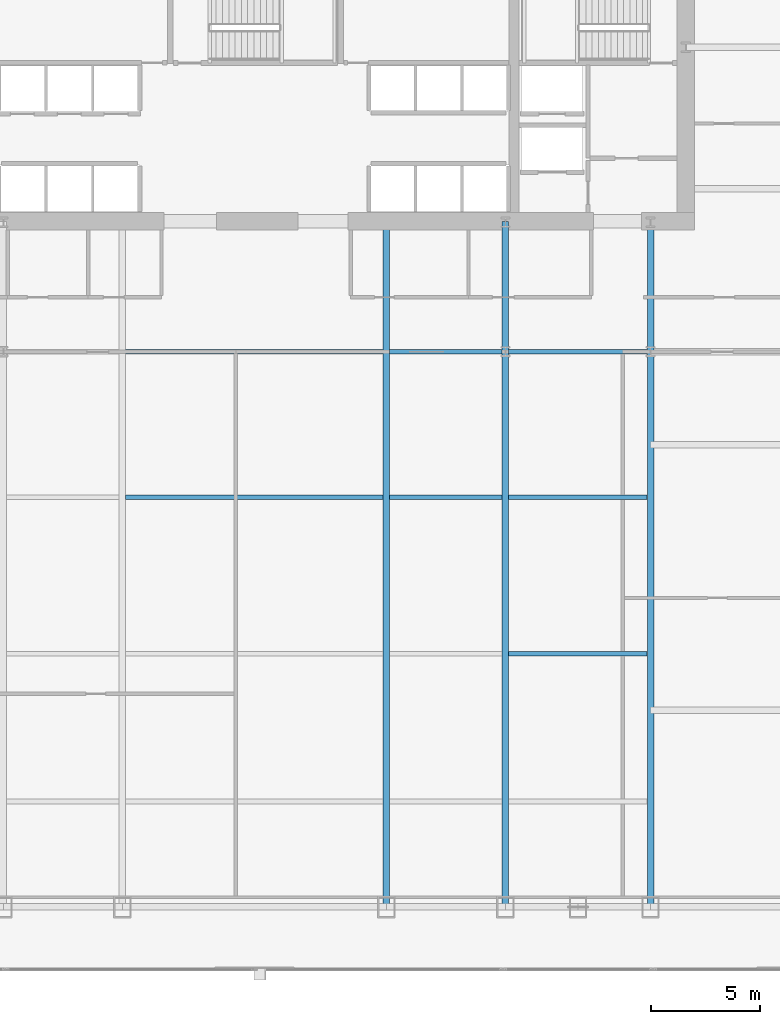
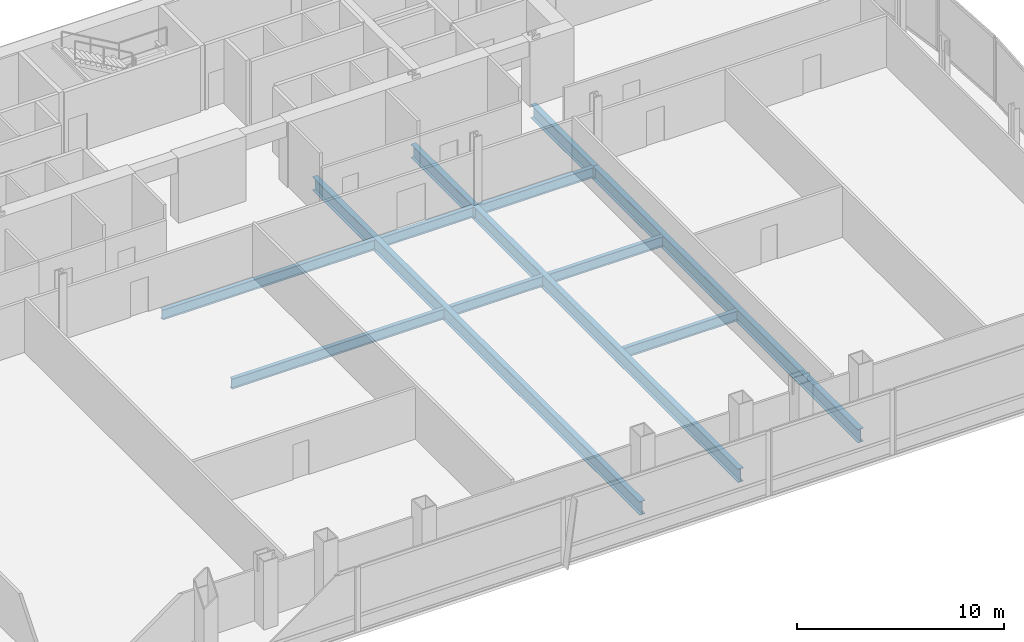
# One storey, part 15 of 37: 12 beams.
"""IFC4 building model written with IfcOpenShell, lengths in metres."""

from ifc_helpers import new_model, si_unit, direction, frame, origin, origin_2d, place, context, subcontext, project, spatial, i_section, extrude, material, material_profile, profile_set, type_object, element, save


model = new_model("IFC4")

# Units and contexts
model_context = context("Model", 3, precision=1e-05, world=origin(), true_north=direction((0.0, 1.0)))
body_context = subcontext(model_context, "Body", "Model", "MODEL_VIEW")
ifc_project = project(units=[si_unit("LENGTHUNIT", "METRE"), si_unit("AREAUNIT", "SQUARE_METRE"), si_unit("VOLUMEUNIT", "CUBIC_METRE"), si_unit("PLANEANGLEUNIT", "RADIAN"), si_unit("MASSUNIT", "GRAM", prefix="KILO")], contexts=[model_context])

# Site, building, storey
site_placement = place(None, origin())
site = spatial("IfcSite", under=ifc_project, at=site_placement, CompositionType="ELEMENT")
building_placement = place(site_placement, origin())
building = spatial("IfcBuilding", under=site, at=building_placement, Name="Khoronbel Lancet Exchange", CompositionType="ELEMENT")
storey_placement = place(building_placement, frame((0.0, 0.0, 45.800048828125)))
storey = spatial("IfcBuildingStorey", under=building, at=storey_placement, Name="L10", CompositionType="ELEMENT", Elevation=45.800048828125)

# Beams
ifc_material = material(Name="Steel S355", Category="steel")
ifc_material_profile_1 = material_profile(ifc_material, i_section(OverallWidth=0.300048828125, OverallDepth=0.800048828125, WebThickness=0.017578125, FlangeThickness=0.032958984375, at=origin_2d()), Name="HEB 800")
ifc_profile_set_1 = profile_set([ifc_material_profile_1], Name="Steel S355")
beam_type_1 = type_object("IfcBeamType", Name="BM-BG2", PredefinedType="BEAM", material=ifc_profile_set_1)
beam_1_placement = place(storey_placement, frame((42.52490234375, 10.14990234375, -0.580078125), z_axis=(0.0, 1.0, 0.0), x_axis=(-1.0, 0.0, 0.0)))
element("IfcBeam", 1, at=beam_1_placement, inside=storey, type_object=beam_type_1, Name="Level L10 primary floor girder G4", PredefinedType="BEAM", context=body_context, shape_type="SweptSolid", body=[
    extrude(i_section(OverallWidth=0.300048828125, OverallDepth=0.800048828125, WebThickness=0.017578125, FlangeThickness=0.032958984375, at=origin_2d()), origin(), (0.0, 0.0, 1.0), 31.550048828125),
])
beam_2_placement = place(storey_placement, frame((48.0, 10.14990234375, -0.580078125), z_axis=(0.0, 1.0, 0.0), x_axis=(-1.0, 0.0, 0.0)))
element("IfcBeam", 2, at=beam_2_placement, inside=storey, type_object=beam_type_1, Name="Level L10 south primary girder GS5", PredefinedType="BEAM", context=body_context, shape_type="SweptSolid", body=[
    extrude(i_section(OverallWidth=0.300048828125, OverallDepth=0.800048828125, WebThickness=0.017578125, FlangeThickness=0.032958984375, at=origin_2d()), origin(), (0.0, 0.0, 1.0), 25.550048828125),
])
beam_3_placement = place(storey_placement, frame((48.0, 35.699951171875, -0.580078125), z_axis=(0.0, 1.0, 0.0), x_axis=(-1.0, 0.0, 0.0)))
element("IfcBeam", 3, at=beam_3_placement, inside=storey, type_object=beam_type_1, Name="Level L10 spine tie girder GN5", PredefinedType="BEAM", context=body_context, shape_type="SweptSolid", body=[
    extrude(i_section(OverallWidth=0.300048828125, OverallDepth=0.800048828125, WebThickness=0.017578125, FlangeThickness=0.032958984375, at=origin_2d()), origin(), (0.0, 0.0, 1.0), 6.0),
])
beam_4_placement = place(storey_placement, frame((54.675048828125, 10.14990234375, -0.580078125), z_axis=(0.0, 1.0, 0.0), x_axis=(-1.0, 0.0, 0.0)))
element("IfcBeam", 4, at=beam_4_placement, inside=storey, type_object=beam_type_1, Name="Level L10 south primary girder GS6", PredefinedType="BEAM", context=body_context, shape_type="SweptSolid", body=[
    extrude(i_section(OverallWidth=0.300048828125, OverallDepth=0.800048828125, WebThickness=0.017578125, FlangeThickness=0.032958984375, at=origin_2d()), origin(), (0.0, 0.0, 1.0), 25.550048828125),
])
beam_5_placement = place(storey_placement, frame((54.675048828125, 35.699951171875, -0.580078125), z_axis=(0.0, 1.0, 0.0), x_axis=(-1.0, 0.0, 0.0)))
element("IfcBeam", 5, at=beam_5_placement, inside=storey, type_object=beam_type_1, Name="Level L10 spine tie girder GN6", PredefinedType="BEAM", context=body_context, shape_type="SweptSolid", body=[
    extrude(i_section(OverallWidth=0.300048828125, OverallDepth=0.800048828125, WebThickness=0.017578125, FlangeThickness=0.032958984375, at=origin_2d()), origin(), (0.0, 0.0, 1.0), 6.0),
])
ifc_material_profile_2 = material_profile(ifc_material, i_section(OverallWidth=0.219970703125, OverallDepth=0.60009765625, WebThickness=0.011962890625, FlangeThickness=0.01904296875, at=origin_2d()), Name="IPE 600")
ifc_profile_set_2 = profile_set([ifc_material_profile_2], Name="Steel S355")
beam_type_2 = type_object("IfcBeamType", Name="BM-BJ1", PredefinedType="JOIST", material=ifc_profile_set_2)
beam_6_placement = place(storey_placement, frame((48.14990234375, 21.800048828125, -0.47998046875), z_axis=(1.0, 0.0, 0.0), x_axis=(0.0, 1.0, 0.0)))
element("IfcBeam", 6, at=beam_6_placement, inside=storey, type_object=beam_type_2, Name="Level L10 secondary composite joist J10", PredefinedType="JOIST", context=body_context, shape_type="SweptSolid", body=[
    extrude(i_section(OverallWidth=0.219970703125, OverallDepth=0.60009765625, WebThickness=0.011962890625, FlangeThickness=0.01904296875, at=origin_2d()), origin(), (0.0, 0.0, 1.0), 6.375),
])
beam_7_placement = place(storey_placement, frame((30.52490234375, 29.0, -0.47998046875), z_axis=(1.0, 0.0, 0.0), x_axis=(0.0, 1.0, 0.0)))
element("IfcBeam", 7, at=beam_7_placement, inside=storey, type_object=beam_type_2, Name="Level L10 secondary composite joist J13", PredefinedType="JOIST", context=body_context, shape_type="SweptSolid", body=[
    extrude(i_section(OverallWidth=0.219970703125, OverallDepth=0.60009765625, WebThickness=0.011962890625, FlangeThickness=0.01904296875, at=origin_2d()), origin(), (0.0, 0.0, 1.0), 11.85009765625),
])
beam_8_placement = place(storey_placement, frame((42.675048828125, 29.0, -0.47998046875), z_axis=(1.0, 0.0, 0.0), x_axis=(0.0, 1.0, 0.0)))
element("IfcBeam", 8, at=beam_8_placement, inside=storey, type_object=beam_type_2, Name="Level L10 secondary composite joist J14", PredefinedType="JOIST", context=body_context, shape_type="SweptSolid", body=[
    extrude(i_section(OverallWidth=0.219970703125, OverallDepth=0.60009765625, WebThickness=0.011962890625, FlangeThickness=0.01904296875, at=origin_2d()), origin(), (0.0, 0.0, 1.0), 5.175048828125),
])
beam_9_placement = place(storey_placement, frame((48.14990234375, 29.0, -0.47998046875), z_axis=(1.0, 0.0, 0.0), x_axis=(0.0, 1.0, 0.0)))
element("IfcBeam", 9, at=beam_9_placement, inside=storey, type_object=beam_type_2, Name="Level L10 secondary composite joist J15", PredefinedType="JOIST", context=body_context, shape_type="SweptSolid", body=[
    extrude(i_section(OverallWidth=0.219970703125, OverallDepth=0.60009765625, WebThickness=0.011962890625, FlangeThickness=0.01904296875, at=origin_2d()), origin(), (0.0, 0.0, 1.0), 6.375),
])
beam_10_placement = place(storey_placement, frame((30.52490234375, 35.699951171875, -0.47998046875), z_axis=(1.0, 0.0, 0.0), x_axis=(0.0, 1.0, 0.0)))
element("IfcBeam", 10, at=beam_10_placement, inside=storey, type_object=beam_type_2, Name="Level L10 secondary composite joist J18", PredefinedType="JOIST", context=body_context, shape_type="SweptSolid", body=[
    extrude(i_section(OverallWidth=0.219970703125, OverallDepth=0.60009765625, WebThickness=0.011962890625, FlangeThickness=0.01904296875, at=origin_2d()), origin(), (0.0, 0.0, 1.0), 11.85009765625),
])
beam_11_placement = place(storey_placement, frame((42.675048828125, 35.699951171875, -0.47998046875), z_axis=(1.0, 0.0, 0.0), x_axis=(0.0, 1.0, 0.0)))
element("IfcBeam", 11, at=beam_11_placement, inside=storey, type_object=beam_type_2, Name="Level L10 secondary composite joist J19", PredefinedType="JOIST", context=body_context, shape_type="SweptSolid", body=[
    extrude(i_section(OverallWidth=0.219970703125, OverallDepth=0.60009765625, WebThickness=0.011962890625, FlangeThickness=0.01904296875, at=origin_2d()), origin(), (0.0, 0.0, 1.0), 5.175048828125),
])
beam_12_placement = place(storey_placement, frame((48.14990234375, 35.699951171875, -0.47998046875), z_axis=(1.0, 0.0, 0.0), x_axis=(0.0, 1.0, 0.0)))
element("IfcBeam", 12, at=beam_12_placement, inside=storey, type_object=beam_type_2, Name="Level L10 secondary composite joist J20", PredefinedType="JOIST", context=body_context, shape_type="SweptSolid", body=[
    extrude(i_section(OverallWidth=0.219970703125, OverallDepth=0.60009765625, WebThickness=0.011962890625, FlangeThickness=0.01904296875, at=origin_2d()), origin(), (0.0, 0.0, 1.0), 6.375),
])

save(model, "model.ifc")
